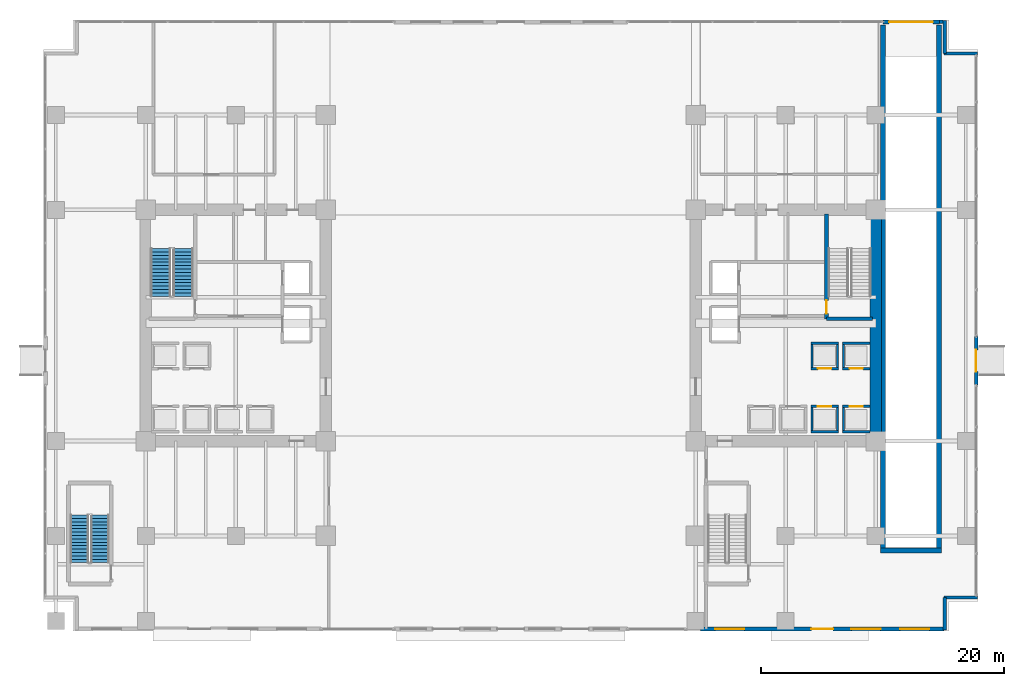
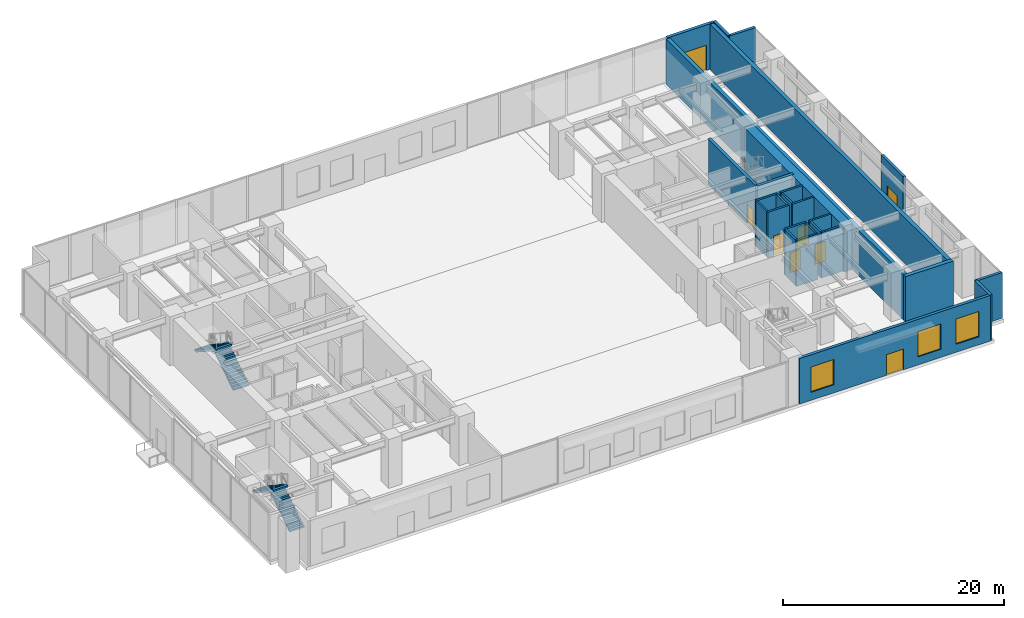
# One storey, part 22 of 28: 28 walls, 8 doors, 4 stair flights, 3 windows, 11 openings, 2 elements without a shape of their own.
"""IFC4 building model written with IfcOpenShell, lengths in metres."""

from ifc_helpers import new_model, si_unit, direction, frame, frame_2d, origin, place, context, subcontext, project, spatial, polyline, rectangle, outline, extrude, source, transform, mapped, material, layer, layer_set, type_object, type_shapes, element, fill, aggregate, save


model = new_model("IFC4")

# Units and contexts
model_context = context("Model", 3, precision=1e-05, world=origin(), true_north=direction((0.0, 1.0)))
body_context = subcontext(model_context, "Body", "Model", "MODEL_VIEW")
ifc_project = project(units=[si_unit("LENGTHUNIT", "METRE"), si_unit("AREAUNIT", "SQUARE_METRE"), si_unit("VOLUMEUNIT", "CUBIC_METRE"), si_unit("PLANEANGLEUNIT", "RADIAN"), si_unit("MASSUNIT", "GRAM", prefix="KILO")], contexts=[model_context])

# Site, building, storey
site_placement = place(None, origin())
site = spatial("IfcSite", under=ifc_project, at=site_placement, CompositionType="ELEMENT")
building_placement = place(site_placement, origin())
building = spatial("IfcBuilding", under=site, at=building_placement, Name="Haelvirn Gate Laboratories", CompositionType="ELEMENT")
storey_placement = place(building_placement, origin())
storey = spatial("IfcBuildingStorey", under=building, at=storey_placement, Name="L01", CompositionType="ELEMENT", Elevation=0.0)

# Wall, openings, door, windows
ifc_material_1 = material(Name="Concrete C40/50", Category="concrete")
ifc_layer_1 = layer(ifc_material_1, 0.300048828125, Name="EW-CONC-300")
ifc_layer_set_1 = layer_set([ifc_layer_1], Name="Concrete C40/50")
wall_type_1 = type_object("IfcWallType", Name="EW-CONC-300", PredefinedType="STANDARD", material=ifc_layer_set_1)
wall_1_placement = place(storey_placement, frame((73.0, -0.64990234375, 0.0), z_axis=(0.0, 0.0, 1.0), x_axis=(-1.0, 0.0, 0.0)))
wall_1 = element("IfcWall", 1, at=wall_1_placement, inside=storey, type_object=wall_type_1, Name="L01 E Final Exit Facade Wall", PredefinedType="STANDARD", context=body_context, shape_type="SweptSolid", body=[
    extrude(rectangle(XDim=20.0, YDim=0.300048828125, at=frame_2d((10.0, 0.0))), origin(), (0.0, 0.0, 1.0), 5.050048828125),
])
opening_1_placement = place(wall_1_placement, frame((9.10009765625, 0.0, 0.0)))
opening_1 = element("IfcOpeningElement", 2, at=opening_1_placement, cuts=wall_1, Name="Opening ED2", PredefinedType="OPENING", context=body_context, shape_type="SweptSolid", body=[
    extrude(rectangle(XDim=1.800048828125, YDim=2.300048828125, at=frame_2d((0.89990234375, 1.14990234375))), frame((0.0, 0.16015625, 0.0), z_axis=(0.0, -1.0, 0.0), x_axis=(1.0, 0.0, 0.0)), (0.0, 0.0, 1.0), 0.320068359375),
])
opening_2_placement = place(wall_1_placement, frame((1.199951171875, 0.0, 0.89990234375)))
opening_2 = element("IfcOpeningElement", 3, at=opening_2_placement, cuts=wall_1, Name="Opening W1", PredefinedType="OPENING", context=body_context, shape_type="SweptSolid", body=[
    extrude(rectangle(XDim=2.39990234375, YDim=2.800048828125, at=frame_2d((1.199951171875, 1.39990234375))), frame((0.0, 0.16015625, 0.0), z_axis=(0.0, -1.0, 0.0), x_axis=(1.0, 0.0, 0.0)), (0.0, 0.0, 1.0), 0.320068359375),
])
opening_3_placement = place(wall_1_placement, frame((5.199951171875, 0.0, 0.89990234375)))
opening_3 = element("IfcOpeningElement", 4, at=opening_3_placement, cuts=wall_1, Name="Opening W1", PredefinedType="OPENING", context=body_context, shape_type="SweptSolid", body=[
    extrude(rectangle(XDim=2.39990234375, YDim=2.800048828125, at=frame_2d((1.199951171875, 1.39990234375))), frame((0.0, 0.16015625, 0.0), z_axis=(0.0, -1.0, 0.0), x_axis=(1.0, 0.0, 0.0)), (0.0, 0.0, 1.0), 0.320068359375),
])
opening_4_placement = place(wall_1_placement, frame((16.39990234375, 0.0, 0.89990234375)))
opening_4 = element("IfcOpeningElement", 5, at=opening_4_placement, cuts=wall_1, Name="Opening W1", PredefinedType="OPENING", context=body_context, shape_type="SweptSolid", body=[
    extrude(rectangle(XDim=2.39990234375, YDim=2.800048828125, at=frame_2d((1.199951171875, 1.39990234375))), frame((0.0, 0.16015625, 0.0), z_axis=(0.0, -1.0, 0.0), x_axis=(1.0, 0.0, 0.0)), (0.0, 0.0, 1.0), 0.320068359375),
])
ifc_material_2 = material(Name="Fire-rated bronze-clad steel SM355 panic exit door", Category="steel")
door_type_1 = type_object("IfcDoorType", Name="DR-EXIT-1800", OperationType="NOTDEFINED", PredefinedType="DOOR", material=ifc_material_2)
shared_shape_1 = source(origin(), body_context, "Body", "SweptSolid", [
    extrude(rectangle(XDim=1.800048828125, YDim=2.300048828125, at=frame_2d((0.89990234375, 1.14990234375))), frame((0.0, 0.02490234375, 0.0), z_axis=(0.0, -1.0, 0.0), x_axis=(1.0, 0.0, 0.0)), (0.0, 0.0, 1.0), 0.050048828125),
])
type_shapes(door_type_1, [shared_shape_1])
door_1_placement = place(opening_1_placement, origin())
door_1 = element("IfcDoor", 6, at=door_1_placement, inside=storey, type_object=door_type_1, Name="L01 E Final Street Exit Door", OperationType="DOUBLE_DOOR_SINGLE_SWING", OverallHeight=2.300048828125, OverallWidth=1.800048828125, PredefinedType="DOOR", context=body_context, shape_type="MappedRepresentation", body=[
    mapped(shared_shape_1, transform((0.0, 0.0, 0.0), scale=1.0)),
])
fill(opening_1, door_1)
ifc_material_3 = material(Name="Bronze anodised aluminium & triple low-E glass", Category="aluminium")
window_type = type_object("IfcWindowType", Name="WIN-CONC-2400", PartitioningType="SINGLE_PANEL", PredefinedType="WINDOW", material=ifc_material_3)
shared_shape_2 = source(origin(), body_context, "Body", "SweptSolid", [
    extrude(rectangle(XDim=2.39990234375, YDim=2.800048828125, at=frame_2d((1.199951171875, 1.39990234375))), frame((0.0, 0.030029296875, 0.0), z_axis=(0.0, -1.0, 0.0), x_axis=(1.0, 0.0, 0.0)), (0.0, 0.0, 1.0), 0.06005859375),
])
type_shapes(window_type, [shared_shape_2])
window_1_placement = place(opening_2_placement, origin())
window_1 = element("IfcWindow", 7, at=window_1_placement, inside=storey, type_object=window_type, Name="L01 South E Facade Window 1", OverallHeight=2.800048828125, OverallWidth=2.39990234375, PartitioningType="SINGLE_PANEL", PredefinedType="WINDOW", context=body_context, shape_type="MappedRepresentation", body=[
    mapped(shared_shape_2, transform((0.0, 0.0, 0.0), scale=1.0)),
])
fill(opening_2, window_1)
window_2_placement = place(opening_3_placement, origin())
window_2 = element("IfcWindow", 8, at=window_2_placement, inside=storey, type_object=window_type, Name="L01 South E Facade Window 2", OverallHeight=2.800048828125, OverallWidth=2.39990234375, PartitioningType="SINGLE_PANEL", PredefinedType="WINDOW", context=body_context, shape_type="MappedRepresentation", body=[
    mapped(shared_shape_2, transform((0.0, 0.0, 0.0), scale=1.0)),
])
fill(opening_3, window_2)
window_3_placement = place(opening_4_placement, origin())
window_3 = element("IfcWindow", 9, at=window_3_placement, inside=storey, type_object=window_type, Name="L01 South E Facade Window 3", OverallHeight=2.800048828125, OverallWidth=2.39990234375, PartitioningType="SINGLE_PANEL", PredefinedType="WINDOW", context=body_context, shape_type="MappedRepresentation", body=[
    mapped(shared_shape_2, transform((0.0, 0.0, 0.0), scale=1.0)),
])
fill(opening_4, window_3)

# Wall, opening, door
wall_2_placement = place(storey_placement, frame((75.64990234375, 19.39990234375, 0.0), z_axis=(0.0, 0.0, 1.0), x_axis=(0.0, 1.0, 0.0)))
wall_2 = element("IfcWall", 10, at=wall_2_placement, inside=storey, type_object=wall_type_1, Name="L01 E Accessible Entrance Wall", PredefinedType="STANDARD", context=body_context, shape_type="SweptSolid", body=[
    extrude(rectangle(XDim=4.0, YDim=0.300048828125, at=frame_2d((2.0, 0.0))), origin(), (0.0, 0.0, 1.0), 5.050048828125),
])
opening_5_placement = place(wall_2_placement, frame((1.10009765625, 0.0, 0.0)))
opening_5 = element("IfcOpeningElement", 11, at=opening_5_placement, cuts=wall_2, Name="Opening ED2", PredefinedType="OPENING", context=body_context, shape_type="SweptSolid", body=[
    extrude(rectangle(XDim=1.800048828125, YDim=2.300048828125, at=frame_2d((0.89990234375, 1.14990234375))), frame((0.0, 0.16015625, 0.0), z_axis=(0.0, -1.0, 0.0), x_axis=(1.0, 0.0, 0.0)), (0.0, 0.0, 1.0), 0.320068359375),
])
door_2_placement = place(opening_5_placement, origin())
door_2 = element("IfcDoor", 12, at=door_2_placement, inside=storey, type_object=door_type_1, Name="L01 E Step-Free Concourse Entrance Door", OperationType="DOUBLE_DOOR_SINGLE_SWING", OverallHeight=2.300048828125, OverallWidth=1.800048828125, PredefinedType="DOOR", context=body_context, shape_type="MappedRepresentation", body=[
    mapped(shared_shape_1, transform((0.0, 0.0, 0.0), scale=1.0)),
])
fill(opening_5, door_2)

ifc_layer_2 = layer(ifc_material_1, 0.320068359375, Name="EW-RAMP-320")
ifc_layer_set_2 = layer_set([ifc_layer_2], Name="Concrete C40/50")
wall_type_2 = type_object("IfcWallType", Name="EW-RAMP-320", PredefinedType="STANDARD", material=ifc_layer_set_2)
wall_3_placement = place(storey_placement, frame((68.0, 49.25, 0.0), z_axis=(0.0, 0.0, 1.0), x_axis=(1.0, 0.0, 0.0)))
wall_3 = element("IfcWall", 13, at=wall_3_placement, inside=storey, type_object=wall_type_2, Name="L01 Vehicle Ramp Portal Header Wall", PredefinedType="STANDARD", context=body_context, shape_type="SweptSolid", body=[
    extrude(rectangle(XDim=4.6220703125, YDim=0.320068359375, at=frame_2d((2.31103515625, 0.0))), origin(), (0.0, 0.0, 1.0), 5.050048828125),
])
opening_6_placement = place(wall_3_placement, frame((0.5, 0.0, 0.0)))
opening_6 = element("IfcOpeningElement", 14, at=opening_6_placement, cuts=wall_3, Name="Opening VG1", PredefinedType="OPENING", context=body_context, shape_type="SweptSolid", body=[
    extrude(rectangle(XDim=3.60009765625, YDim=2.800048828125, at=frame_2d((1.800048828125, 1.39990234375))), frame((0.0, 0.169921875, 0.0), z_axis=(0.0, -1.0, 0.0), x_axis=(1.0, 0.0, 0.0)), (0.0, 0.0, 1.0), 0.340087890625),
])
ifc_material_4 = material(Name="Insulated motorised bronze aluminium roller shutter", Category="aluminium")
door_type_2 = type_object("IfcDoorType", Name="DR-VG-3600", OperationType="NOTDEFINED", PredefinedType="GATE", material=ifc_material_4)
shared_shape_3 = source(origin(), body_context, "Body", "SweptSolid", [
    extrude(rectangle(XDim=3.60009765625, YDim=2.800048828125, at=frame_2d((1.800048828125, 1.39990234375))), frame((0.0, 0.02490234375, 0.0), z_axis=(0.0, -1.0, 0.0), x_axis=(1.0, 0.0, 0.0)), (0.0, 0.0, 1.0), 0.050048828125),
])
type_shapes(door_type_2, [shared_shape_3])
door_3_placement = place(opening_6_placement, origin())
door_3 = element("IfcDoor", 15, at=door_3_placement, inside=storey, type_object=door_type_2, Name="L01 Vehicle Ramp Roller Shutter Gate VG1", OperationType="ROLLINGUP", OverallHeight=2.800048828125, OverallWidth=3.60009765625, PredefinedType="GATE", context=body_context, shape_type="MappedRepresentation", body=[
    mapped(shared_shape_3, transform((0.0, 0.0, 0.0), scale=1.0)),
])
fill(opening_6, door_3)

# Walls
ifc_material_5 = material(Name="Thermally-broken bronze aluminium rainscreen & mineral wool", Category="aluminium")
ifc_layer_3 = layer(ifc_material_5, 0.280029296875, Name="EW-TERR-280")
ifc_layer_set_3 = layer_set([ifc_layer_3], Name="Thermally-broken bronze aluminium rainscreen & mineral wool")
wall_type_3 = type_object("IfcWallType", Name="EW-TERR-280", PredefinedType="STANDARD", material=ifc_layer_set_3)
wall_4_placement = place(storey_placement, frame((73.06005859375, -0.75, 0.0), z_axis=(0.0, 0.0, 1.0), x_axis=(0.0, 1.0, 0.0)))
element("IfcWall", 16, at=wall_4_placement, inside=storey, type_object=wall_type_3, Name="L01 Notched Corner Perimeter Wall SE1", PredefinedType="STANDARD", context=body_context, shape_type="SweptSolid", body=[
    extrude(rectangle(XDim=2.68994140625, YDim=0.280029296875, at=frame_2d((1.344970703125, 0.0))), origin(), (0.0, 0.0, 1.0), 5.050048828125),
])
for number, where, z_axis, x_axis, name in (
    (17, (73.0, 1.93994140625, 0.0), (0.0, 0.0, 1.0), (1.0, 0.0, 0.0), "L01 Notched Corner Perimeter Wall SE2"),
    (18, (75.75, 46.659912109375, 0.0), (0.0, 0.0, 1.0), (-1.0, 0.0, 0.0), "L01 Notched Corner Perimeter Wall NE1"),
):
    element("IfcWall", number, at=place(storey_placement, frame(where, z_axis=z_axis, x_axis=x_axis)), inside=storey, type_object=wall_type_3, Name=name, PredefinedType="STANDARD", context=body_context, shape_type="SweptSolid", body=[
        extrude(rectangle(XDim=2.75, YDim=0.280029296875, at=frame_2d((1.375, 0.0))), origin(), (0.0, 0.0, 1.0), 5.050048828125),
    ])
wall_5_placement = place(storey_placement, frame((73.06005859375, 46.659912109375, 0.0), z_axis=(0.0, 0.0, 1.0), x_axis=(0.0, 1.0, 0.0)))
element("IfcWall", 19, at=wall_5_placement, inside=storey, type_object=wall_type_3, Name="L01 Notched Corner Perimeter Wall NE2", PredefinedType="STANDARD", context=body_context, shape_type="SweptSolid", body=[
    extrude(rectangle(XDim=2.690185546875, YDim=0.280029296875, at=frame_2d((1.34521484375, 0.0))), origin(), (0.0, 0.0, 1.0), 5.050048828125),
])
wall_6_placement = place(storey_placement, frame((72.6201171875, 49.25, 0.0), z_axis=(0.0, 0.0, 1.0), x_axis=(1.0, 0.0, 0.0)))
element("IfcWall", 20, at=wall_6_placement, inside=storey, type_object=wall_type_3, Name="L01 Notched Corner Perimeter Wall NE3", PredefinedType="STANDARD", context=body_context, shape_type="SweptSolid", body=[
    extrude(rectangle(XDim=0.2998046875, YDim=0.280029296875, at=frame_2d((0.14990234375, 0.0))), origin(), (0.0, 0.0, 1.0), 5.050048828125),
])
ifc_layer_4 = layer(ifc_material_1, 0.179931640625, Name="IW-SHAFT-180")
ifc_layer_set_4 = layer_set([ifc_layer_4], Name="Concrete C40/50")
wall_type_4 = type_object("IfcWallType", Name="IW-SHAFT-180", PredefinedType="SOLIDWALL", material=ifc_layer_set_4)
for number, where, z_axis, x_axis, name in (
    (21, (64.75, 15.64990234375, 0.0), (0.0, 0.0, 1.0), (0.0, 1.0, 0.0), "L01 Interior Wall IW-L01-PL3-SD"),
    (22, (62.14990234375, 15.64990234375, 0.0), (0.0, 0.0, 1.0), (0.0, 1.0, 0.0), "L01 Interior Wall IW-L01-PL4-SD"),
    (23, (64.25, 15.64990234375, 0.0), (0.0, 0.0, 1.0), (0.0, 1.0, 0.0), "L01 Interior Wall IW-L01-PL4-SDE"),
):
    element("IfcWall", number, at=place(storey_placement, frame(where, z_axis=z_axis, x_axis=x_axis)), inside=storey, type_object=wall_type_4, Name=name, PredefinedType="SOLIDWALL", context=body_context, shape_type="SweptSolid", body=[
        extrude(rectangle(XDim=1.900146484375, YDim=0.179931640625, at=frame_2d((0.9501953125, 0.0))), origin(), (0.0, 0.0, 1.0), 5.050048828125),
    ])
for number, where, z_axis, x_axis, name in (
    (24, (64.75, 20.85009765625, 0.0), (0.0, 0.0, 1.0), (0.0, 1.0, 0.0), "L01 Interior Wall IW-L01-PL11-SD"),
    (25, (62.14990234375, 20.85009765625, 0.0), (0.0, 0.0, 1.0), (0.0, 1.0, 0.0), "L01 Interior Wall IW-L01-PL12-SD"),
    (26, (64.25, 20.85009765625, 0.0), (0.0, 0.0, 1.0), (0.0, 1.0, 0.0), "L01 Interior Wall IW-L01-PL12-SDE"),
):
    element("IfcWall", number, at=place(storey_placement, frame(where, z_axis=z_axis, x_axis=x_axis)), inside=storey, type_object=wall_type_4, Name=name, PredefinedType="SOLIDWALL", context=body_context, shape_type="SweptSolid", body=[
        extrude(rectangle(XDim=1.89990234375, YDim=0.179931640625, at=frame_2d((0.949951171875, 0.0))), origin(), (0.0, 0.0, 1.0), 5.050048828125),
    ])

# Wall, opening, door
ifc_layer_5 = layer(ifc_material_1, 0.199951171875, Name="IW-SHAFT-200")
ifc_layer_set_5 = layer_set([ifc_layer_5], Name="Concrete C40/50")
wall_type_5 = type_object("IfcWallType", Name="IW-SHAFT-200", PredefinedType="SOLIDWALL", material=ifc_layer_set_5)
wall_7_placement = place(storey_placement, frame((64.669921875, 17.64990234375, 0.0), z_axis=(0.0, 0.0, 1.0), x_axis=(1.0, 0.0, 0.0)))
wall_7 = element("IfcWall", 27, at=wall_7_placement, inside=storey, type_object=wall_type_5, Name="L01 Interior Wall IW-L01-PL3-FR", PredefinedType="SOLIDWALL", context=body_context, shape_type="SweptSolid", body=[
    extrude(rectangle(XDim=2.260009765625, YDim=0.199951171875, at=frame_2d((1.1298828125, 0.0))), origin(), (0.0, 0.0, 1.0), 5.050048828125),
])
opening_7_placement = place(wall_7_placement, frame((0.580078125, 0.0, 0.0)))
opening_7 = element("IfcOpeningElement", 28, at=opening_7_placement, cuts=wall_7, Name="Opening LD2", PredefinedType="OPENING", context=body_context, shape_type="SweptSolid", body=[
    extrude(rectangle(XDim=1.10009765625, YDim=2.219970703125, at=frame_2d((0.550048828125, 1.10986328125))), frame((0.0, 0.10986328125, 0.0), z_axis=(0.0, -1.0, 0.0), x_axis=(1.0, 0.0, 0.0)), (0.0, 0.0, 1.0), 0.219970703125),
])
ifc_material_6 = material(Name="Bronze stainless 316L sliding lift landing door")
door_type_3 = type_object("IfcDoorType", Name="DR-LD-1100", OperationType="NOTDEFINED", PredefinedType="USERDEFINED", material=ifc_material_6)
shared_shape_4 = source(origin(), body_context, "Body", "SweptSolid", [
    extrude(rectangle(XDim=1.10009765625, YDim=2.219970703125, at=frame_2d((0.550048828125, 1.10986328125))), frame((0.0, 0.02490234375, 0.0), z_axis=(0.0, -1.0, 0.0), x_axis=(1.0, 0.0, 0.0)), (0.0, 0.0, 1.0), 0.050048828125),
])
type_shapes(door_type_3, [shared_shape_4])
door_4_placement = place(opening_7_placement, origin())
door_4 = element("IfcDoor", 29, at=door_4_placement, inside=storey, type_object=door_type_3, Name="L01 Passenger Lift PL3 Landing Door", ObjectType="LANDING_DOOR", OperationType="SLIDING_TO_LEFT", OverallHeight=2.219970703125, OverallWidth=1.10009765625, PredefinedType="USERDEFINED", context=body_context, shape_type="MappedRepresentation", body=[
    mapped(shared_shape_4, transform((0.0, 0.0, 0.0), scale=1.0)),
])
fill(opening_7, door_4)

# Wall
wall_8_placement = place(storey_placement, frame((64.669921875, 15.550048828125, 0.0), z_axis=(0.0, 0.0, 1.0), x_axis=(1.0, 0.0, 0.0)))
element("IfcWall", 30, at=wall_8_placement, inside=storey, type_object=wall_type_5, Name="L01 Interior Wall IW-L01-PL3-BK", PredefinedType="SOLIDWALL", context=body_context, shape_type="SweptSolid", body=[
    extrude(rectangle(XDim=2.260009765625, YDim=0.199951171875, at=frame_2d((1.1298828125, 0.0))), origin(), (0.0, 0.0, 1.0), 5.050048828125),
])

# Wall, opening, door
wall_9_placement = place(storey_placement, frame((62.070068359375, 17.64990234375, 0.0), z_axis=(0.0, 0.0, 1.0), x_axis=(1.0, 0.0, 0.0)))
wall_9 = element("IfcWall", 31, at=wall_9_placement, inside=storey, type_object=wall_type_5, Name="L01 Interior Wall IW-L01-PL4-FR", PredefinedType="SOLIDWALL", context=body_context, shape_type="SweptSolid", body=[
    extrude(rectangle(XDim=2.260009765625, YDim=0.199951171875, at=frame_2d((1.1298828125, 0.0))), origin(), (0.0, 0.0, 1.0), 5.050048828125),
])
opening_8_placement = place(wall_9_placement, frame((0.580078125, 0.0, 0.0)))
opening_8 = element("IfcOpeningElement", 32, at=opening_8_placement, cuts=wall_9, Name="Opening LD2", PredefinedType="OPENING", context=body_context, shape_type="SweptSolid", body=[
    extrude(rectangle(XDim=1.10009765625, YDim=2.219970703125, at=frame_2d((0.550048828125, 1.10986328125))), frame((0.0, 0.10986328125, 0.0), z_axis=(0.0, -1.0, 0.0), x_axis=(1.0, 0.0, 0.0)), (0.0, 0.0, 1.0), 0.219970703125),
])
door_5_placement = place(opening_8_placement, origin())
door_5 = element("IfcDoor", 33, at=door_5_placement, inside=storey, type_object=door_type_3, Name="L01 Passenger Lift PL4 Landing Door", ObjectType="LANDING_DOOR", OperationType="SLIDING_TO_RIGHT", OverallHeight=2.219970703125, OverallWidth=1.10009765625, PredefinedType="USERDEFINED", context=body_context, shape_type="MappedRepresentation", body=[
    mapped(shared_shape_4, transform((0.0, 0.0, 0.0), scale=1.0)),
])
fill(opening_8, door_5)

# Wall
wall_10_placement = place(storey_placement, frame((62.070068359375, 15.550048828125, 0.0), z_axis=(0.0, 0.0, 1.0), x_axis=(1.0, 0.0, 0.0)))
element("IfcWall", 34, at=wall_10_placement, inside=storey, type_object=wall_type_5, Name="L01 Interior Wall IW-L01-PL4-BK", PredefinedType="SOLIDWALL", context=body_context, shape_type="SweptSolid", body=[
    extrude(rectangle(XDim=2.260009765625, YDim=0.199951171875, at=frame_2d((1.1298828125, 0.0))), origin(), (0.0, 0.0, 1.0), 5.050048828125),
])

# Wall, opening, door
wall_11_placement = place(storey_placement, frame((64.669921875, 20.75, 0.0), z_axis=(0.0, 0.0, 1.0), x_axis=(1.0, 0.0, 0.0)))
wall_11 = element("IfcWall", 35, at=wall_11_placement, inside=storey, type_object=wall_type_5, Name="L01 Interior Wall IW-L01-PL11-FR", PredefinedType="SOLIDWALL", context=body_context, shape_type="SweptSolid", body=[
    extrude(rectangle(XDim=2.260009765625, YDim=0.199951171875, at=frame_2d((1.1298828125, 0.0))), origin(), (0.0, 0.0, 1.0), 5.050048828125),
])
opening_9_placement = place(wall_11_placement, frame((0.580078125, 0.0, 0.0)))
opening_9 = element("IfcOpeningElement", 36, at=opening_9_placement, cuts=wall_11, Name="Opening LD2", PredefinedType="OPENING", context=body_context, shape_type="SweptSolid", body=[
    extrude(rectangle(XDim=1.10009765625, YDim=2.219970703125, at=frame_2d((0.550048828125, 1.10986328125))), frame((0.0, 0.10986328125, 0.0), z_axis=(0.0, -1.0, 0.0), x_axis=(1.0, 0.0, 0.0)), (0.0, 0.0, 1.0), 0.219970703125),
])
door_6_placement = place(opening_9_placement, origin())
door_6 = element("IfcDoor", 37, at=door_6_placement, inside=storey, type_object=door_type_3, Name="L01 Passenger Lift PL11 Landing Door", ObjectType="LANDING_DOOR", OperationType="SLIDING_TO_LEFT", OverallHeight=2.219970703125, OverallWidth=1.10009765625, PredefinedType="USERDEFINED", context=body_context, shape_type="MappedRepresentation", body=[
    mapped(shared_shape_4, transform((0.0, 0.0, 0.0), scale=1.0)),
])
fill(opening_9, door_6)

# Wall
wall_12_placement = place(storey_placement, frame((64.669921875, 22.85009765625, 0.0), z_axis=(0.0, 0.0, 1.0), x_axis=(1.0, 0.0, 0.0)))
element("IfcWall", 38, at=wall_12_placement, inside=storey, type_object=wall_type_5, Name="L01 Interior Wall IW-L01-PL11-BK", PredefinedType="SOLIDWALL", context=body_context, shape_type="SweptSolid", body=[
    extrude(rectangle(XDim=2.260009765625, YDim=0.199951171875, at=frame_2d((1.1298828125, 0.0))), origin(), (0.0, 0.0, 1.0), 5.050048828125),
])

# Wall, opening, door
wall_13_placement = place(storey_placement, frame((62.070068359375, 20.75, 0.0), z_axis=(0.0, 0.0, 1.0), x_axis=(1.0, 0.0, 0.0)))
wall_13 = element("IfcWall", 39, at=wall_13_placement, inside=storey, type_object=wall_type_5, Name="L01 Interior Wall IW-L01-PL12-FR", PredefinedType="SOLIDWALL", context=body_context, shape_type="SweptSolid", body=[
    extrude(rectangle(XDim=2.260009765625, YDim=0.199951171875, at=frame_2d((1.1298828125, 0.0))), origin(), (0.0, 0.0, 1.0), 5.050048828125),
])
opening_10_placement = place(wall_13_placement, frame((0.580078125, 0.0, 0.0)))
opening_10 = element("IfcOpeningElement", 40, at=opening_10_placement, cuts=wall_13, Name="Opening LD2", PredefinedType="OPENING", context=body_context, shape_type="SweptSolid", body=[
    extrude(rectangle(XDim=1.10009765625, YDim=2.219970703125, at=frame_2d((0.550048828125, 1.10986328125))), frame((0.0, 0.10986328125, 0.0), z_axis=(0.0, -1.0, 0.0), x_axis=(1.0, 0.0, 0.0)), (0.0, 0.0, 1.0), 0.219970703125),
])
door_7_placement = place(opening_10_placement, origin())
door_7 = element("IfcDoor", 41, at=door_7_placement, inside=storey, type_object=door_type_3, Name="L01 Passenger Lift PL12 Landing Door", ObjectType="LANDING_DOOR", OperationType="SLIDING_TO_RIGHT", OverallHeight=2.219970703125, OverallWidth=1.10009765625, PredefinedType="USERDEFINED", context=body_context, shape_type="MappedRepresentation", body=[
    mapped(shared_shape_4, transform((0.0, 0.0, 0.0), scale=1.0)),
])
fill(opening_10, door_7)

# Walls
wall_14_placement = place(storey_placement, frame((62.070068359375, 22.85009765625, 0.0), z_axis=(0.0, 0.0, 1.0), x_axis=(1.0, 0.0, 0.0)))
element("IfcWall", 42, at=wall_14_placement, inside=storey, type_object=wall_type_5, Name="L01 Interior Wall IW-L01-PL12-BK", PredefinedType="SOLIDWALL", context=body_context, shape_type="SweptSolid", body=[
    extrude(rectangle(XDim=2.260009765625, YDim=0.199951171875, at=frame_2d((1.1298828125, 0.0))), origin(), (0.0, 0.0, 1.0), 5.050048828125),
])
ifc_material_7 = material(Name="Concrete C70/85", Category="concrete")
ifc_layer_6 = layer(ifc_material_7, 0.949951171875, Name="SW-CORE-950")
ifc_layer_set_6 = layer_set([ifc_layer_6], Name="Concrete C70/85")
wall_type_6 = type_object("IfcWallType", Name="SW-CORE-950", PredefinedType="SHEAR", material=ifc_layer_set_6)
wall_15_placement = place(storey_placement, frame((67.39990234375, 15.27490234375, 0.0), z_axis=(0.0, 0.0, 1.0), x_axis=(0.0, 1.0, 0.0)))
element("IfcWall", 43, at=wall_15_placement, inside=storey, type_object=wall_type_6, Name="L01 E Core Shear Wall E", PredefinedType="SHEAR", context=body_context, shape_type="SweptSolid", body=[
    extrude(rectangle(XDim=18.050048828125, YDim=0.949951171875, at=frame_2d((9.02490234375, 0.0))), origin(), (0.0, 0.0, 1.0), 5.050048828125),
])
ifc_material_8 = material(Name="Concrete C50/60", Category="concrete")
ifc_layer_7 = layer(ifc_material_8, 0.39990234375, Name="SW-RAMP-400")
ifc_layer_set_7 = layer_set([ifc_layer_7], Name="Concrete C50/60")
wall_type_7 = type_object("IfcWallType", Name="SW-RAMP-400", PredefinedType="SHEAR", material=ifc_layer_set_7)
for number, where, z_axis, x_axis, name in (
    (44, (68.0, 6.0, 0.0), (0.0, 0.0, 1.0), (0.0, 1.0, 0.0), "L01 Vehicle Ramp Enclosure Wall W"),
    (45, (72.60009765625, 6.0, 0.0), (0.0, 0.0, 1.0), (0.0, 1.0, 0.0), "L01 Vehicle Ramp Enclosure Wall E"),
):
    element("IfcWall", number, at=place(storey_placement, frame(where, z_axis=z_axis, x_axis=x_axis)), inside=storey, type_object=wall_type_7, Name=name, PredefinedType="SHEAR", context=body_context, shape_type="SweptSolid", body=[
        extrude(rectangle(XDim=43.0, YDim=0.39990234375, at=frame_2d((21.5, 0.0))), origin(), (0.0, 0.0, 1.0), 5.050048828125),
    ])
wall_16_placement = place(storey_placement, frame((67.800048828125, 5.800048828125, 0.0), z_axis=(0.0, 0.0, 1.0), x_axis=(1.0, 0.0, 0.0)))
element("IfcWall", 46, at=wall_16_placement, inside=storey, type_object=wall_type_7, Name="L01 Vehicle Ramp Headwall South", PredefinedType="SHEAR", context=body_context, shape_type="SweptSolid", body=[
    extrude(rectangle(XDim=5.0, YDim=0.39990234375, at=frame_2d((2.5, 0.0))), origin(), (0.0, 0.0, 1.0), 5.050048828125),
])

# Wall, opening, door
ifc_layer_8 = layer(ifc_material_8, 0.300048828125, Name="SW-STAIR-300")
ifc_layer_set_8 = layer_set([ifc_layer_8], Name="Concrete C50/60")
wall_type_8 = type_object("IfcWallType", Name="SW-STAIR-300", PredefinedType="SHEAR", material=ifc_layer_set_8)
wall_17_placement = place(storey_placement, frame((63.35009765625, 24.85009765625, 0.0), z_axis=(0.0, 0.0, 1.0), x_axis=(0.0, 1.0, 0.0)))
wall_17 = element("IfcWall", 47, at=wall_17_placement, inside=storey, type_object=wall_type_8, Name="L01 E Core Stair Shaft Structural Wall IN", PredefinedType="SHEAR", context=body_context, shape_type="SweptSolid", body=[
    extrude(rectangle(XDim=8.6298828125, YDim=0.300048828125, at=frame_2d((4.31494140625, 0.0))), origin(), (0.0, 0.0, 1.0), 5.050048828125),
])
opening_11_placement = place(wall_17_placement, frame((0.419921875, 0.0, 0.0)))
opening_11 = element("IfcOpeningElement", 48, at=opening_11_placement, cuts=wall_17, Name="Opening FD3", PredefinedType="OPENING", context=body_context, shape_type="SweptSolid", body=[
    extrude(rectangle(XDim=1.10009765625, YDim=2.14990234375, at=frame_2d((0.550048828125, 1.074951171875))), frame((0.0, 0.16015625, 0.0), z_axis=(0.0, -1.0, 0.0), x_axis=(1.0, 0.0, 0.0)), (0.0, 0.0, 1.0), 0.320068359375),
])
ifc_material_9 = material(Name="Fire-rated steel SM355 escape stair door", Category="steel")
door_type_4 = type_object("IfcDoorType", Name="DR-FD-1100", OperationType="NOTDEFINED", PredefinedType="DOOR", material=ifc_material_9)
shared_shape_5 = source(origin(), body_context, "Body", "SweptSolid", [
    extrude(rectangle(XDim=1.10009765625, YDim=2.14990234375, at=frame_2d((0.550048828125, 1.074951171875))), frame((0.0, 0.02490234375, 0.0), z_axis=(0.0, -1.0, 0.0), x_axis=(1.0, 0.0, 0.0)), (0.0, 0.0, 1.0), 0.050048828125),
])
type_shapes(door_type_4, [shared_shape_5])
door_8_placement = place(opening_11_placement, origin())
door_8 = element("IfcDoor", 49, at=door_8_placement, inside=storey, type_object=door_type_4, Name="L01 Escape Stair ST2 Fire Door", OperationType="SINGLE_SWING_RIGHT", OverallHeight=2.14990234375, OverallWidth=1.10009765625, PredefinedType="DOOR", context=body_context, shape_type="MappedRepresentation", body=[
    mapped(shared_shape_5, transform((0.0, 0.0, 0.0), scale=1.0)),
])
fill(opening_11, door_8)

# Wall
wall_18_placement = place(storey_placement, frame((63.35009765625, 24.85009765625, 0.0), z_axis=(0.0, 0.0, 1.0), x_axis=(1.0, 0.0, 0.0)))
element("IfcWall", 50, at=wall_18_placement, inside=storey, type_object=wall_type_8, Name="L01 E Core Stair Shaft Structural Wall S", PredefinedType="SHEAR", context=body_context, shape_type="SweptSolid", body=[
    extrude(rectangle(XDim=3.7998046875, YDim=0.300048828125, at=frame_2d((1.89990234375, 0.0))), origin(), (0.0, 0.0, 1.0), 5.050048828125),
])

# Stair, stair flights
stair_type_1 = type_object("IfcStairType", Name="ST-DOG-1650-R30", PredefinedType="HALF_TURN_STAIR", material=ifc_material_1)
stair_1_placement = place(storey_placement, origin())
stair_1 = element("IfcStair", 51, at=stair_1_placement, inside=storey, type_object=stair_type_1, Name="L01 Escape Stair ST1", PredefinedType="HALF_TURN_STAIR")
stair_flight_type_1 = type_object("IfcStairFlightType", Name="STF-1650-R15", PredefinedType="STRAIGHT", material=ifc_material_1)
shared_shape_6 = source(origin(), body_context, "Body", "SweptSolid", [
    extrude(outline(polyline([(0.0, 0.0), (0.0, 0.179931640625), (0.280029296875, 0.179931640625), (0.280029296875, 0.360107421875), (0.56005859375, 0.360107421875), (0.56005859375, 0.5400390625), (0.840087890625, 0.5400390625), (0.840087890625, 0.719970703125), (1.1201171875, 0.719970703125), (1.1201171875, 0.89990234375), (1.39990234375, 0.89990234375), (1.39990234375, 1.080078125), (1.679931640625, 1.080078125), (1.679931640625, 1.260009765625), (1.9599609375, 1.260009765625), (1.9599609375, 1.43994140625), (2.239990234375, 1.43994140625), (2.239990234375, 1.6201171875), (2.52001953125, 1.6201171875), (2.52001953125, 1.800048828125), (2.800048828125, 1.800048828125), (2.800048828125, 1.97998046875), (3.080078125, 1.97998046875), (3.080078125, 2.159912109375), (3.360107421875, 2.159912109375), (3.360107421875, 2.340087890625), (3.639892578125, 2.340087890625), (3.639892578125, 2.52001953125), (3.919921875, 2.52001953125), (3.919921875, 2.699951171875), (3.919921875, 2.329833984375), (0.295654296875, 0.0), (0.0, 0.0)])), frame((0.0, 0.824951171875, 0.0), z_axis=(0.0, -1.0, 0.0), x_axis=(1.0, 0.0, 0.0)), (0.0, 0.0, 1.0), 1.64990234375),
])
type_shapes(stair_flight_type_1, [shared_shape_6])
stair_flight_1_placement = place(storey_placement, frame((10.47509765625, 26.699951171875, 0.0), z_axis=(0.0, 0.0, 1.0), x_axis=(0.0, 1.0, 0.0)))
stair_flight_1 = element("IfcStairFlight", 52, at=stair_flight_1_placement, type_object=stair_flight_type_1, Name="ST1 flight 1", NumberOfRisers=15, NumberOfTreads=14, PredefinedType="STRAIGHT", RiserHeight=0.18, TreadLength=0.28, context=body_context, shape_type="MappedRepresentation", body=[
    mapped(shared_shape_6, transform((0.0, 0.0, 0.0), scale=1.0)),
])
stair_flight_2_placement = place(storey_placement, frame((8.625, 30.6201171875, 2.699951171875), z_axis=(0.0, 0.0, 1.0), x_axis=(0.0, -1.0, 0.0)))
stair_flight_2 = element("IfcStairFlight", 53, at=stair_flight_2_placement, type_object=stair_flight_type_1, Name="ST1 flight 2", NumberOfRisers=15, NumberOfTreads=14, PredefinedType="STRAIGHT", RiserHeight=0.18, TreadLength=0.28, context=body_context, shape_type="MappedRepresentation", body=[
    mapped(shared_shape_6, transform((0.0, 0.0, 0.0), scale=1.0)),
])
aggregate(stair_1, [stair_flight_1, stair_flight_2])

stair_type_2 = type_object("IfcStairType", Name="ST-DOG-1500-R30", PredefinedType="HALF_TURN_STAIR", material=ifc_material_1)
stair_2_placement = place(storey_placement, origin())
stair_2 = element("IfcStair", 54, at=stair_2_placement, inside=storey, type_object=stair_type_2, Name="L01 Escape Stair ST3", PredefinedType="HALF_TURN_STAIR")
stair_flight_type_2 = type_object("IfcStairFlightType", Name="STF-1500-R15", PredefinedType="STRAIGHT", material=ifc_material_1)
shared_shape_7 = source(origin(), body_context, "Body", "SweptSolid", [
    extrude(outline(polyline([(0.0, 0.0), (0.0, 0.179931640625), (0.280029296875, 0.179931640625), (0.280029296875, 0.360107421875), (0.56005859375, 0.360107421875), (0.56005859375, 0.5400390625), (0.840087890625, 0.5400390625), (0.840087890625, 0.719970703125), (1.1201171875, 0.719970703125), (1.1201171875, 0.89990234375), (1.39990234375, 0.89990234375), (1.39990234375, 1.080078125), (1.679931640625, 1.080078125), (1.679931640625, 1.260009765625), (1.9599609375, 1.260009765625), (1.9599609375, 1.43994140625), (2.239990234375, 1.43994140625), (2.239990234375, 1.6201171875), (2.52001953125, 1.6201171875), (2.52001953125, 1.800048828125), (2.800048828125, 1.800048828125), (2.800048828125, 1.97998046875), (3.080078125, 1.97998046875), (3.080078125, 2.159912109375), (3.360107421875, 2.159912109375), (3.360107421875, 2.340087890625), (3.639892578125, 2.340087890625), (3.639892578125, 2.52001953125), (3.919921875, 2.52001953125), (3.919921875, 2.699951171875), (3.919921875, 2.329833984375), (0.295654296875, 0.0), (0.0, 0.0)])), frame((0.0, 0.75, 0.0), z_axis=(0.0, -1.0, 0.0), x_axis=(1.0, 0.0, 0.0)), (0.0, 0.0, 1.0), 1.5),
])
type_shapes(stair_flight_type_2, [shared_shape_7])
stair_flight_3_placement = place(storey_placement, frame((3.64990234375, 4.800048828125, 0.0), z_axis=(0.0, 0.0, 1.0), x_axis=(0.0, 1.0, 0.0)))
stair_flight_3 = element("IfcStairFlight", 55, at=stair_flight_3_placement, type_object=stair_flight_type_2, Name="ST3 flight 1", NumberOfRisers=15, NumberOfTreads=14, PredefinedType="STRAIGHT", RiserHeight=0.18, TreadLength=0.28, context=body_context, shape_type="MappedRepresentation", body=[
    mapped(shared_shape_7, transform((0.0, 0.0, 0.0), scale=1.0)),
])
stair_flight_4_placement = place(storey_placement, frame((1.949951171875, 8.719970703125, 2.699951171875), z_axis=(0.0, 0.0, 1.0), x_axis=(0.0, -1.0, 0.0)))
stair_flight_4 = element("IfcStairFlight", 56, at=stair_flight_4_placement, type_object=stair_flight_type_2, Name="ST3 flight 2", NumberOfRisers=15, NumberOfTreads=14, PredefinedType="STRAIGHT", RiserHeight=0.18, TreadLength=0.28, context=body_context, shape_type="MappedRepresentation", body=[
    mapped(shared_shape_7, transform((0.0, 0.0, 0.0), scale=1.0)),
])
aggregate(stair_2, [stair_flight_3, stair_flight_4])

save(model, "model.ifc")
